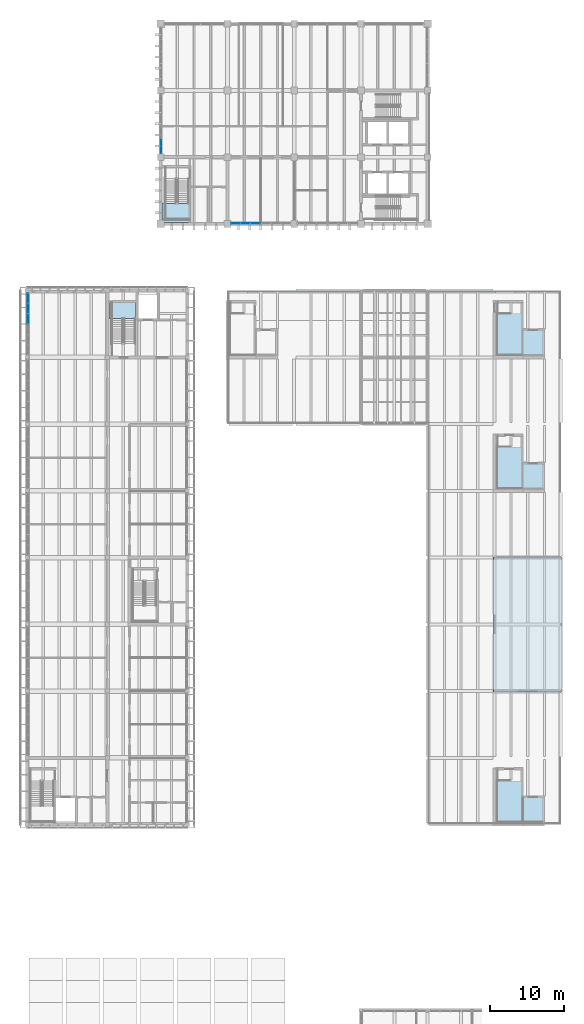
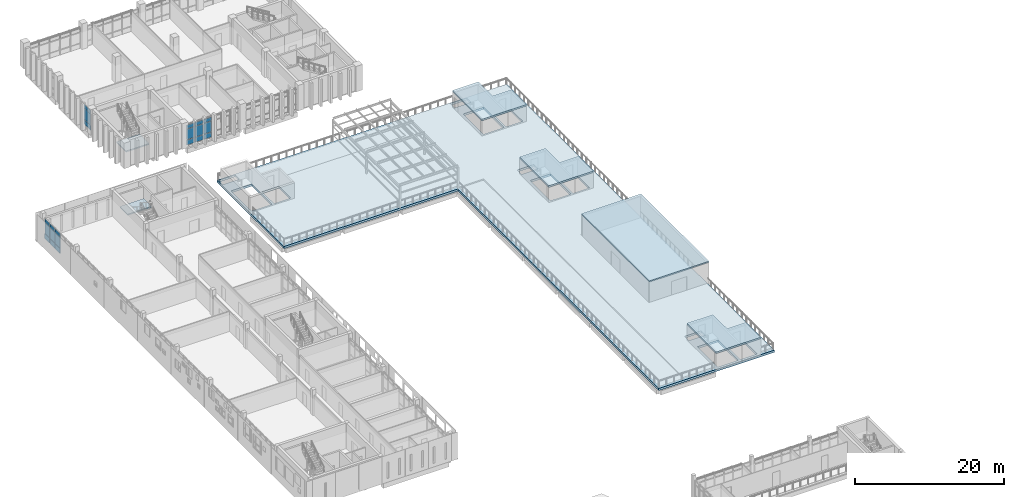
# One storey, part 37 of 74: 21 plates, 7 slabs, 5 elements without a shape of their own.
"""IFC4 building model written with IfcOpenShell, lengths in metres."""

from ifc_helpers import new_model, si_unit, direction, frame, origin, origin_2d, place, context, subcontext, project, spatial, polyline, rectangle, outline, extrude, material, layer, layer_set, type_object, element, aggregate, save


model = new_model("IFC4")

# Units and contexts
model_context = context("Model", 3, precision=1e-05, world=origin(), true_north=direction((0.0, 1.0)))
body_context = subcontext(model_context, "Body", "Model", "MODEL_VIEW")
ifc_project = project(units=[si_unit("LENGTHUNIT", "METRE"), si_unit("AREAUNIT", "SQUARE_METRE"), si_unit("VOLUMEUNIT", "CUBIC_METRE"), si_unit("PLANEANGLEUNIT", "RADIAN"), si_unit("MASSUNIT", "GRAM", prefix="KILO")], contexts=[model_context])

# Site, building, storey
site_placement = place(None, origin())
site = spatial("IfcSite", under=ifc_project, at=site_placement, CompositionType="ELEMENT")
building_placement = place(site_placement, origin())
building = spatial("IfcBuilding", under=site, at=building_placement, Name="Merrow Basin Faculty of Sciences", CompositionType="ELEMENT")
storey_placement = place(building_placement, frame((0.0, 0.0, 13.5)))
storey = spatial("IfcBuildingStorey", under=building, at=storey_placement, Name="L03", CompositionType="ELEMENT", Elevation=13.5)

# Curtain wall, plates
ifc_material_1 = material(Name="Aluminium alloy 6063", Category="aluminium")
curtain_wall_type_1 = type_object("IfcCurtainWallType", Name="Bar unitised curtain wall 180", PredefinedType="NOTDEFINED", material=ifc_material_1)
curtain_wall_1_placement = place(storey_placement, origin())
curtain_wall_1 = element("IfcCurtainWall", 1, at=curtain_wall_1_placement, inside=storey, type_object=curtain_wall_type_1, Name="West curtain wall L03 7", PredefinedType="NOTDEFINED")
ifc_material_2 = material(Name="Insulated aluminium spandrel panel", Category="aluminium")
ifc_layer_1 = layer(ifc_material_2, 0.052001953125)
ifc_layer_set_1 = layer_set([ifc_layer_1], Name="Insulated spandrel panel 52")
plate_type_1 = type_object("IfcPlateType", Name="Insulated spandrel panel 52", PredefinedType="CURTAIN_PANEL", material=ifc_layer_set_1)
plate_1_placement = place(storey_placement, frame((0.090087890625, 129.2041015625, 0.06005859375), z_axis=(0.0, 0.0, 1.0), x_axis=(0.0, 1.0, 0.0)))
plate_1 = element("IfcPlate", 2, at=plate_1_placement, type_object=plate_type_1, Name="CW1 panel 4.1", PredefinedType="CURTAIN_PANEL", context=body_context, shape_type="SweptSolid", body=[
    extrude(rectangle(XDim=1.348388671875, YDim=0.052001953125, at=origin_2d()), origin(), (0.0, 0.0, 1.0), 0.81005859375),
])
plate_2_placement = place(storey_placement, frame((0.090087890625, 130.612548828125, 0.06005859375), z_axis=(0.0, 0.0, 1.0), x_axis=(0.0, 1.0, 0.0)))
plate_2 = element("IfcPlate", 3, at=plate_2_placement, type_object=plate_type_1, Name="CW1 panel 5.1", PredefinedType="CURTAIN_PANEL", context=body_context, shape_type="SweptSolid", body=[
    extrude(rectangle(XDim=1.348388671875, YDim=0.052001953125, at=origin_2d()), origin(), (0.0, 0.0, 1.0), 0.81005859375),
])
plate_3_placement = place(storey_placement, frame((0.090087890625, 132.005859375, 0.06005859375), z_axis=(0.0, 0.0, 1.0), x_axis=(0.0, 1.0, 0.0)))
plate_3 = element("IfcPlate", 4, at=plate_3_placement, type_object=plate_type_1, Name="CW1 panel 6.1", PredefinedType="CURTAIN_PANEL", context=body_context, shape_type="SweptSolid", body=[
    extrude(rectangle(XDim=1.318359375, YDim=0.052001953125, at=origin_2d()), origin(), (0.0, 0.0, 1.0), 0.81005859375),
])

# Curtain wall, plate
ifc_material_3 = material(Name="Aluminium alloy 6063", Category="aluminium")
curtain_wall_type_2 = type_object("IfcCurtainWallType", Name="Unitised curtain wall 160", PredefinedType="NOTDEFINED", material=ifc_material_3)
curtain_wall_2_placement = place(storey_placement, origin())
curtain_wall_2 = element("IfcCurtainWall", 5, at=curtain_wall_2_placement, inside=storey, type_object=curtain_wall_type_2, Name="W curtain wall L03 1", PredefinedType="NOTDEFINED")
plate_4_placement = place(storey_placement, frame((18.080078125, 152.3837890625, 0.06005859375), z_axis=(0.0, 0.0, 1.0), x_axis=(0.0, 1.0, 0.0)))
plate_4 = element("IfcPlate", 6, at=plate_4_placement, type_object=plate_type_1, Name="CW3 panel 1.1", PredefinedType="CURTAIN_PANEL", context=body_context, shape_type="SweptSolid", body=[
    extrude(rectangle(XDim=1.74755859375, YDim=0.052001953125, at=origin_2d()), origin(), (0.0, 0.0, 1.0), 0.81005859375),
])

# Curtain wall, plates
curtain_wall_3_placement = place(storey_placement, origin())
curtain_wall_3 = element("IfcCurtainWall", 7, at=curtain_wall_3_placement, inside=storey, type_object=curtain_wall_type_2, Name="S curtain wall L03 1", PredefinedType="NOTDEFINED")
plate_5_placement = place(storey_placement, frame((28.131591796875, 142.080078125, 0.06005859375), z_axis=(0.0, 0.0, 1.0), x_axis=(1.0, 0.0, 0.0)))
plate_5 = element("IfcPlate", 8, at=plate_5_placement, type_object=plate_type_1, Name="CW3 panel 1.1", PredefinedType="CURTAIN_PANEL", context=body_context, shape_type="SweptSolid", body=[
    extrude(rectangle(XDim=1.243408203125, YDim=0.052001953125, at=origin_2d()), origin(), (0.0, 0.0, 1.0), 0.81005859375),
])
plate_6_placement = place(storey_placement, frame((29.449951171875, 142.080078125, 0.06005859375), z_axis=(0.0, 0.0, 1.0), x_axis=(1.0, 0.0, 0.0)))
plate_6 = element("IfcPlate", 9, at=plate_6_placement, type_object=plate_type_1, Name="CW3 panel 2.1", PredefinedType="CURTAIN_PANEL", context=body_context, shape_type="SweptSolid", body=[
    extrude(rectangle(XDim=1.2734375, YDim=0.052001953125, at=origin_2d()), origin(), (0.0, 0.0, 1.0), 0.81005859375),
])
plate_7_placement = place(storey_placement, frame((30.768310546875, 142.080078125, 0.06005859375), z_axis=(0.0, 0.0, 1.0), x_axis=(1.0, 0.0, 0.0)))
plate_7 = element("IfcPlate", 10, at=plate_7_placement, type_object=plate_type_1, Name="CW3 panel 3.1", PredefinedType="CURTAIN_PANEL", context=body_context, shape_type="SweptSolid", body=[
    extrude(rectangle(XDim=1.243408203125, YDim=0.052001953125, at=origin_2d()), origin(), (0.0, 0.0, 1.0), 0.81005859375),
])

# Plate
ifc_material_4 = material(Name="Low-E double glazing", Category="glass")
ifc_layer_2 = layer(ifc_material_4, 0.028076171875)
ifc_layer_set_2 = layer_set([ifc_layer_2], Name="Low-E double glazed panel 28")
plate_type_2 = type_object("IfcPlateType", Name="Low-E double glazed panel 28", PredefinedType="CURTAIN_PANEL", material=ifc_layer_set_2)
plate_8_placement = place(storey_placement, frame((0.090087890625, 129.2041015625, 0.93017578125), z_axis=(0.0, 0.0, 1.0), x_axis=(0.0, 1.0, 0.0)))
plate_8 = element("IfcPlate", 11, at=plate_8_placement, type_object=plate_type_2, Name="CW1 panel 4.2", PredefinedType="CURTAIN_PANEL", context=body_context, shape_type="SweptSolid", body=[
    extrude(rectangle(XDim=1.348388671875, YDim=0.028076171875, at=origin_2d()), origin(), (0.0, 0.0, 1.0), 1.739990234375),
])

plate_9_placement = place(storey_placement, frame((0.090087890625, 129.2041015625, 2.72998046875), z_axis=(0.0, 0.0, 1.0), x_axis=(0.0, 1.0, 0.0)))
plate_9 = element("IfcPlate", 12, at=plate_9_placement, type_object=plate_type_2, Name="CW1 panel 4.3", PredefinedType="CURTAIN_PANEL", context=body_context, shape_type="SweptSolid", body=[
    extrude(rectangle(XDim=1.348388671875, YDim=0.028076171875, at=origin_2d()), origin(), (0.0, 0.0, 1.0), 0.610107421875),
])

plate_10_placement = place(storey_placement, frame((0.090087890625, 130.612548828125, 0.93017578125), z_axis=(0.0, 0.0, 1.0), x_axis=(0.0, 1.0, 0.0)))
plate_10 = element("IfcPlate", 13, at=plate_10_placement, type_object=plate_type_2, Name="CW1 panel 5.2", PredefinedType="CURTAIN_PANEL", context=body_context, shape_type="SweptSolid", body=[
    extrude(rectangle(XDim=1.348388671875, YDim=0.028076171875, at=origin_2d()), origin(), (0.0, 0.0, 1.0), 1.739990234375),
])

plate_11_placement = place(storey_placement, frame((0.090087890625, 130.612548828125, 2.72998046875), z_axis=(0.0, 0.0, 1.0), x_axis=(0.0, 1.0, 0.0)))
plate_11 = element("IfcPlate", 14, at=plate_11_placement, type_object=plate_type_2, Name="CW1 panel 5.3", PredefinedType="CURTAIN_PANEL", context=body_context, shape_type="SweptSolid", body=[
    extrude(rectangle(XDim=1.348388671875, YDim=0.028076171875, at=origin_2d()), origin(), (0.0, 0.0, 1.0), 0.610107421875),
])

plate_12_placement = place(storey_placement, frame((0.090087890625, 132.005859375, 0.93017578125), z_axis=(0.0, 0.0, 1.0), x_axis=(0.0, 1.0, 0.0)))
plate_12 = element("IfcPlate", 15, at=plate_12_placement, type_object=plate_type_2, Name="CW1 panel 6.2", PredefinedType="CURTAIN_PANEL", context=body_context, shape_type="SweptSolid", body=[
    extrude(rectangle(XDim=1.318359375, YDim=0.028076171875, at=origin_2d()), origin(), (0.0, 0.0, 1.0), 1.739990234375),
])

plate_13_placement = place(storey_placement, frame((0.090087890625, 132.005859375, 2.72998046875), z_axis=(0.0, 0.0, 1.0), x_axis=(0.0, 1.0, 0.0)))
plate_13 = element("IfcPlate", 16, at=plate_13_placement, type_object=plate_type_2, Name="CW1 panel 6.3", PredefinedType="CURTAIN_PANEL", context=body_context, shape_type="SweptSolid", body=[
    extrude(rectangle(XDim=1.318359375, YDim=0.028076171875, at=origin_2d()), origin(), (0.0, 0.0, 1.0), 0.610107421875),
])

aggregate(curtain_wall_1, [plate_1, plate_8, plate_9, plate_2, plate_10, plate_11, plate_3, plate_12, plate_13])

plate_14_placement = place(storey_placement, frame((18.080078125, 152.3837890625, 0.93017578125), z_axis=(0.0, 0.0, 1.0), x_axis=(0.0, 1.0, 0.0)))
plate_14 = element("IfcPlate", 17, at=plate_14_placement, type_object=plate_type_2, Name="CW3 panel 1.2", PredefinedType="CURTAIN_PANEL", context=body_context, shape_type="SweptSolid", body=[
    extrude(rectangle(XDim=1.74755859375, YDim=0.028076171875, at=origin_2d()), origin(), (0.0, 0.0, 1.0), 1.739990234375),
])

plate_15_placement = place(storey_placement, frame((18.080078125, 152.3837890625, 2.72998046875), z_axis=(0.0, 0.0, 1.0), x_axis=(0.0, 1.0, 0.0)))
plate_15 = element("IfcPlate", 18, at=plate_15_placement, type_object=plate_type_2, Name="CW3 panel 1.3", PredefinedType="CURTAIN_PANEL", context=body_context, shape_type="SweptSolid", body=[
    extrude(rectangle(XDim=1.74755859375, YDim=0.028076171875, at=origin_2d()), origin(), (0.0, 0.0, 1.0), 0.610107421875),
])

aggregate(curtain_wall_2, [plate_4, plate_14, plate_15])

plate_16_placement = place(storey_placement, frame((28.131591796875, 142.080078125, 0.93017578125), z_axis=(0.0, 0.0, 1.0), x_axis=(1.0, 0.0, 0.0)))
plate_16 = element("IfcPlate", 19, at=plate_16_placement, type_object=plate_type_2, Name="CW3 panel 1.2", PredefinedType="CURTAIN_PANEL", context=body_context, shape_type="SweptSolid", body=[
    extrude(rectangle(XDim=1.243408203125, YDim=0.028076171875, at=origin_2d()), origin(), (0.0, 0.0, 1.0), 1.739990234375),
])

plate_17_placement = place(storey_placement, frame((28.131591796875, 142.080078125, 2.72998046875), z_axis=(0.0, 0.0, 1.0), x_axis=(1.0, 0.0, 0.0)))
plate_17 = element("IfcPlate", 20, at=plate_17_placement, type_object=plate_type_2, Name="CW3 panel 1.3", PredefinedType="CURTAIN_PANEL", context=body_context, shape_type="SweptSolid", body=[
    extrude(rectangle(XDim=1.243408203125, YDim=0.028076171875, at=origin_2d()), origin(), (0.0, 0.0, 1.0), 0.610107421875),
])

plate_18_placement = place(storey_placement, frame((29.449951171875, 142.080078125, 0.93017578125), z_axis=(0.0, 0.0, 1.0), x_axis=(1.0, 0.0, 0.0)))
plate_18 = element("IfcPlate", 21, at=plate_18_placement, type_object=plate_type_2, Name="CW3 panel 2.2", PredefinedType="CURTAIN_PANEL", context=body_context, shape_type="SweptSolid", body=[
    extrude(rectangle(XDim=1.2734375, YDim=0.028076171875, at=origin_2d()), origin(), (0.0, 0.0, 1.0), 1.739990234375),
])

plate_19_placement = place(storey_placement, frame((29.449951171875, 142.080078125, 2.72998046875), z_axis=(0.0, 0.0, 1.0), x_axis=(1.0, 0.0, 0.0)))
plate_19 = element("IfcPlate", 22, at=plate_19_placement, type_object=plate_type_2, Name="CW3 panel 2.3", PredefinedType="CURTAIN_PANEL", context=body_context, shape_type="SweptSolid", body=[
    extrude(rectangle(XDim=1.2734375, YDim=0.028076171875, at=origin_2d()), origin(), (0.0, 0.0, 1.0), 0.610107421875),
])

plate_20_placement = place(storey_placement, frame((30.768310546875, 142.080078125, 0.93017578125), z_axis=(0.0, 0.0, 1.0), x_axis=(1.0, 0.0, 0.0)))
plate_20 = element("IfcPlate", 23, at=plate_20_placement, type_object=plate_type_2, Name="CW3 panel 3.2", PredefinedType="CURTAIN_PANEL", context=body_context, shape_type="SweptSolid", body=[
    extrude(rectangle(XDim=1.243408203125, YDim=0.028076171875, at=origin_2d()), origin(), (0.0, 0.0, 1.0), 1.739990234375),
])

plate_21_placement = place(storey_placement, frame((30.768310546875, 142.080078125, 2.72998046875), z_axis=(0.0, 0.0, 1.0), x_axis=(1.0, 0.0, 0.0)))
plate_21 = element("IfcPlate", 24, at=plate_21_placement, type_object=plate_type_2, Name="CW3 panel 3.3", PredefinedType="CURTAIN_PANEL", context=body_context, shape_type="SweptSolid", body=[
    extrude(rectangle(XDim=1.243408203125, YDim=0.028076171875, at=origin_2d()), origin(), (0.0, 0.0, 1.0), 0.610107421875),
])

aggregate(curtain_wall_3, [plate_5, plate_16, plate_17, plate_6, plate_18, plate_19, plate_7, plate_20, plate_21])

# Slabs
ifc_material_5 = material(Name="Concrete C40/50", Category="concrete")
ifc_layer_3 = layer(ifc_material_5, 0.199951171875)
ifc_layer_set_3 = layer_set([ifc_layer_3], Name="Roof slab 200 Concrete C40/50")
slab_type_1 = type_object("IfcSlabType", Name="Roof slab 200 Concrete C40/50", PredefinedType="ROOF", material=ifc_layer_set_3)
slab_1_placement = place(storey_placement, frame((0.0, 0.0, 3.5)))
element("IfcSlab", 25, at=slab_1_placement, inside=storey, type_object=slab_type_1, Name="SL10 terrace pavilion roof L03 006", PredefinedType="ROOF", context=body_context, shape_type="SweptSolid", body=[
    extrude(outline(polyline([(62.875, 97.125), (72.125, 97.125), (72.125, 78.875), (62.875, 78.875), (62.875, 97.125)])), origin(), (0.0, 0.0, 1.0), 0.199951171875),
])
ifc_material_6 = material(Name="Concrete C40/50", Category="concrete")
ifc_layer_4 = layer(ifc_material_6, 0.25)
ifc_layer_set_4 = layer_set([ifc_layer_4], Name="Roof slab 250 Concrete C40/50")
slab_type_2 = type_object("IfcSlabType", Name="Roof slab 250 Concrete C40/50", PredefinedType="ROOF", material=ifc_layer_set_4)
slab_2_placement = place(storey_placement, frame((0.0, 0.0, 2.75)))
element("IfcSlab", 26, at=slab_2_placement, inside=storey, type_object=slab_type_2, Name="SL9 head-house roof L03 003", PredefinedType="ROOF", context=body_context, shape_type="SweptSolid", body=[
    extrude(outline(polyline([(66.85009765625, 60.800048828125), (66.64990234375, 60.800048828125), (62.800048828125, 60.800048828125), (62.800048828125, 68.64990234375), (66.85009765625, 68.64990234375), (66.85009765625, 64.85009765625), (69.75, 64.85009765625), (69.75, 60.800048828125), (66.85009765625, 60.800048828125)])), origin(), (0.0, 0.0, 1.0), 0.25),
])
slab_3_placement = place(storey_placement, frame((0.0, 0.0, 2.75)))
element("IfcSlab", 27, at=slab_3_placement, inside=storey, type_object=slab_type_2, Name="SL9 head-house roof L03 004", PredefinedType="ROOF", context=body_context, shape_type="SweptSolid", body=[
    extrude(outline(polyline([(66.85009765625, 105.800048828125), (66.64990234375, 105.800048828125), (62.800048828125, 105.800048828125), (62.800048828125, 113.64990234375), (66.85009765625, 113.64990234375), (66.85009765625, 109.85009765625), (69.75, 109.85009765625), (69.75, 105.800048828125), (66.85009765625, 105.800048828125)])), origin(), (0.0, 0.0, 1.0), 0.25),
])
slab_4_placement = place(storey_placement, frame((0.0, 0.0, 2.75)))
element("IfcSlab", 28, at=slab_4_placement, inside=storey, type_object=slab_type_2, Name="SL9 head-house roof L03 005", PredefinedType="ROOF", context=body_context, shape_type="SweptSolid", body=[
    extrude(outline(polyline([(66.85009765625, 123.800048828125), (66.64990234375, 123.800048828125), (62.800048828125, 123.800048828125), (62.800048828125, 131.64990234375), (66.85009765625, 131.64990234375), (66.85009765625, 127.85009765625), (69.75, 127.85009765625), (69.75, 123.800048828125), (66.85009765625, 123.800048828125)])), origin(), (0.0, 0.0, 1.0), 0.25),
])

# Stair, slab
ifc_material_7 = material(Name="Concrete C40/50", Category="concrete")
stair_type = type_object("IfcStairType", Name="Concrete dog-leg stair Concrete C40/50", PredefinedType="HALF_TURN_STAIR", material=ifc_material_7)
stair_1_placement = place(storey_placement, origin())
stair_1 = element("IfcStair", 29, at=stair_1_placement, inside=storey, type_object=stair_type, Name="L03 Exit stair N", PredefinedType="HALF_TURN_STAIR")
ifc_material_8 = material(Name="Concrete C40/50", Category="concrete")
ifc_layer_5 = layer(ifc_material_8, 0.199951171875)
ifc_layer_set_5 = layer_set([ifc_layer_5], Name="Stair landing 200 Concrete C40/50")
slab_type_3 = type_object("IfcSlabType", Name="Stair landing 200 Concrete C40/50", PredefinedType="LANDING", material=ifc_layer_set_5)
slab_5_placement = place(storey_placement, frame((0.0, 0.0, 2.050048828125)))
slab_5 = element("IfcSlab", 30, at=slab_5_placement, type_object=slab_type_3, Name="ST-V4-N landing 1", PredefinedType="LANDING", context=body_context, shape_type="SweptSolid", body=[
    extrude(outline(polyline([(11.0, 129.260009765625), (14.699951171875, 129.260009765625), (14.699951171875, 131.39990234375), (11.0, 131.39990234375), (11.0, 129.260009765625)])), origin(), (0.0, 0.0, 1.0), 0.199951171875),
])
aggregate(stair_1, [slab_5])

stair_2_placement = place(storey_placement, origin())
stair_2 = element("IfcStair", 31, at=stair_2_placement, inside=storey, type_object=stair_type, Name="L03 Exit stair W", PredefinedType="HALF_TURN_STAIR")
slab_6_placement = place(storey_placement, frame((0.0, 0.0, 2.050048828125)))
slab_6 = element("IfcSlab", 32, at=slab_6_placement, type_object=slab_type_3, Name="ST-V5-W landing 1", PredefinedType="LANDING", context=body_context, shape_type="SweptSolid", body=[
    extrude(outline(polyline([(18.199951171875, 142.199951171875), (21.800048828125, 142.199951171875), (21.800048828125, 144.739990234375), (18.199951171875, 144.739990234375), (18.199951171875, 142.199951171875)])), origin(), (0.0, 0.0, 1.0), 0.199951171875),
])
aggregate(stair_2, [slab_6])

# Slab
ifc_material_9 = material(Name="Concrete C40/50", Category="concrete")
ifc_layer_6 = layer(ifc_material_9, 0.35009765625)
ifc_layer_set_6 = layer_set([ifc_layer_6], Name="Terrace slab 350 Concrete C40/50")
slab_type_4 = type_object("IfcSlabType", Name="Terrace slab 350 Concrete C40/50", PredefinedType="ROOF", material=ifc_layer_set_6)
slab_7_placement = place(storey_placement, frame((0.0, 0.0, -0.35009765625)))
element("IfcSlab", 33, at=slab_7_placement, inside=storey, type_object=slab_type_4, Name="SL8 roof L03 001", PredefinedType="ROOF", context=body_context, shape_type="SweptSolid", body=[
    extrude(outline(polyline([(54.0, 115.0), (27.0, 115.0), (27.0, 133.0), (54.0, 133.0), (72.0, 133.0), (72.0, 61.0), (54.0, 61.0), (54.0, 115.0)]), holes=[polyline([(66.89990234375, 106.39990234375), (69.5, 106.39990234375), (69.5, 109.60009765625), (66.89990234375, 109.60009765625), (66.89990234375, 106.39990234375)]), polyline([(66.89990234375, 124.39990234375), (69.5, 124.39990234375), (69.5, 127.60009765625), (66.89990234375, 127.60009765625), (66.89990234375, 124.39990234375)]), polyline([(69.5, 61.39990234375), (69.5, 64.60009765625), (66.89990234375, 64.60009765625), (66.89990234375, 61.39990234375), (69.5, 61.39990234375)]), polyline([(63.39990234375, 61.39990234375), (66.60009765625, 61.39990234375), (66.60009765625, 66.85009765625), (63.39990234375, 66.85009765625), (63.39990234375, 61.39990234375)]), polyline([(63.39990234375, 124.39990234375), (66.60009765625, 124.39990234375), (66.60009765625, 129.85009765625), (63.39990234375, 129.85009765625), (63.39990234375, 124.39990234375)]), polyline([(66.60009765625, 106.39990234375), (66.60009765625, 111.85009765625), (63.39990234375, 111.85009765625), (63.39990234375, 106.39990234375), (66.60009765625, 106.39990234375)]), polyline([(63.14990234375, 113.675048828125), (65.72509765625, 113.675048828125), (65.72509765625, 114.85009765625), (63.14990234375, 114.85009765625), (63.14990234375, 113.675048828125)]), polyline([(63.14990234375, 131.675048828125), (65.72509765625, 131.675048828125), (65.72509765625, 132.85009765625), (63.14990234375, 132.85009765625), (63.14990234375, 131.675048828125)]), polyline([(65.72509765625, 68.675048828125), (65.72509765625, 69.85009765625), (63.14990234375, 69.85009765625), (63.14990234375, 68.675048828125), (65.72509765625, 68.675048828125)]), polyline([(30.89990234375, 124.39990234375), (33.5, 124.39990234375), (33.5, 127.60009765625), (30.89990234375, 127.60009765625), (30.89990234375, 124.39990234375)]), polyline([(30.60009765625, 124.39990234375), (30.60009765625, 129.85009765625), (27.39990234375, 129.85009765625), (27.39990234375, 124.39990234375), (30.60009765625, 124.39990234375)]), polyline([(27.14990234375, 131.675048828125), (29.72509765625, 131.675048828125), (29.72509765625, 132.85009765625), (27.14990234375, 132.85009765625), (27.14990234375, 131.675048828125)])]), origin(), (0.0, 0.0, 1.0), 0.35009765625),
])

save(model, "model.ifc")
